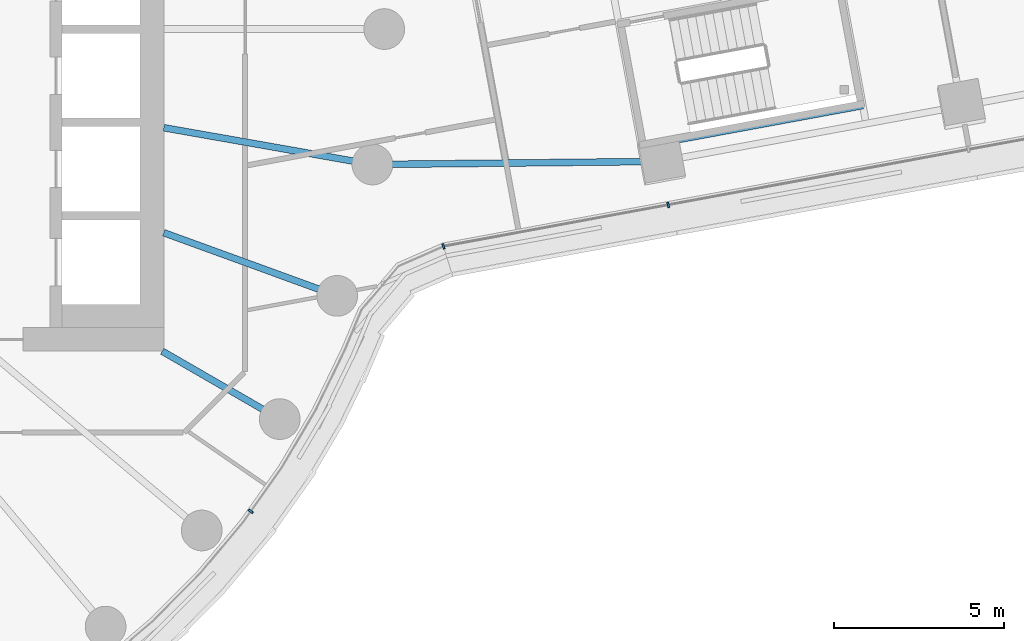
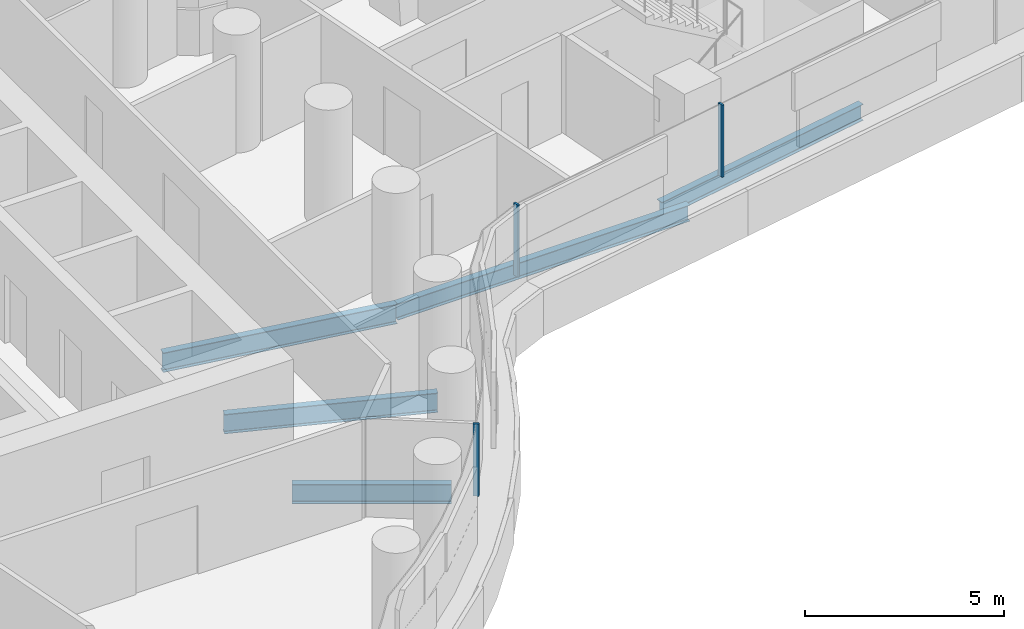
# One storey, part 11 of 33: 5 beams, 3 members, 2 elements without a shape of their own.
"""IFC4 building model written with IfcOpenShell, lengths in metres."""

from ifc_helpers import new_model, si_unit, direction, frame, origin, origin_2d, place, context, subcontext, project, spatial, rectangle, i_section, extrude, material, layer, layer_set, material_profile, profile_set, type_object, element, aggregate, save


model = new_model("IFC4")

# Units and contexts
model_context = context("Model", 3, precision=1e-05, world=origin(), true_north=direction((0.0, 1.0)))
body_context = subcontext(model_context, "Body", "Model", "MODEL_VIEW")
ifc_project = project(units=[si_unit("LENGTHUNIT", "METRE"), si_unit("AREAUNIT", "SQUARE_METRE"), si_unit("VOLUMEUNIT", "CUBIC_METRE"), si_unit("PLANEANGLEUNIT", "RADIAN"), si_unit("MASSUNIT", "GRAM", prefix="KILO")], contexts=[model_context])

# Site, building, storey
site_placement = place(None, origin())
site = spatial("IfcSite", under=ifc_project, at=site_placement, CompositionType="ELEMENT")
building_placement = place(site_placement, origin())
building = spatial("IfcBuilding", under=site, at=building_placement, Name="Tamarind Cross Interchange Tower", CompositionType="ELEMENT")
storey_placement = place(building_placement, frame((0.0, 0.0, 71.5)))
storey = spatial("IfcBuildingStorey", under=building, at=storey_placement, Name="L16", CompositionType="ELEMENT", Elevation=71.5)

# Beams
ifc_material_1 = material(Name="Steel Q355B", Category="steel")
ifc_material_profile_1 = material_profile(ifc_material_1, i_section(OverallWidth=0.198974609375, OverallDepth=0.49609375, WebThickness=0.009033203125, FlangeThickness=0.013916015625, FilletRadius=0.012939453125, at=origin_2d()), Name="HN 496x199x9x14")
ifc_profile_set_1 = profile_set([ifc_material_profile_1], Name="Steel Q355B")
beam_type_1 = type_object("IfcBeamType", Name="Composite beam HN 496x199x9x14 Q355B", PredefinedType="BEAM", material=ifc_profile_set_1)
beam_1_placement = place(storey_placement, frame((31.15966796875, -3.903564453125, -0.387939453125), z_axis=(-0.999943654866, -0.010615417677, 0.0), x_axis=(0.010615417677, -0.999943654866, 0.0)))
element("IfcBeam", 1, at=beam_1_placement, inside=storey, type_object=beam_type_1, Name="Beam E-linkem", PredefinedType="BEAM", context=body_context, shape_type="SweptSolid", body=[
    extrude(i_section(OverallWidth=0.198974609375, OverallDepth=0.49609375, WebThickness=0.009033203125, FlangeThickness=0.013916015625, FilletRadius=0.012939453125, at=origin_2d()), origin(), (0.0, 0.0, 1.0), 8.509521484375),
])
beam_2_placement = place(storey_placement, frame((30.584716796875, -3.460693359375, -0.387939453125), z_axis=(0.983416422781, 0.181361901743, 0.0), x_axis=(-0.181361901743, 0.983416422781, 0.0)))
element("IfcBeam", 2, at=beam_2_placement, inside=storey, type_object=beam_type_1, Name="Beam E-tr0", PredefinedType="BEAM", context=body_context, shape_type="SweptSolid", body=[
    extrude(i_section(OverallWidth=0.198974609375, OverallDepth=0.49609375, WebThickness=0.009033203125, FlangeThickness=0.013916015625, FilletRadius=0.012939453125, at=origin_2d()), origin(), (0.0, 0.0, 1.0), 6.63525390625),
])
ifc_material_profile_2 = material_profile(ifc_material_1, i_section(OverallWidth=0.198974609375, OverallDepth=0.595947265625, WebThickness=0.010009765625, FlangeThickness=0.014892578125, FilletRadius=0.012939453125, at=origin_2d()), Name="HN 596x199x10x15")
ifc_profile_set_2 = profile_set([ifc_material_profile_2], Name="Steel Q355B")
beam_type_2 = type_object("IfcBeamType", Name="Composite beam HN 596x199x10x15 Q355B", PredefinedType="BEAM", material=ifc_profile_set_2)
beam_3_placement = place(storey_placement, frame((19.918701171875, -11.5, -0.43798828125), z_axis=(-0.866026010844, 0.49999894854, 0.0), x_axis=(-0.49999894854, -0.866026010844, 0.0)))
element("IfcBeam", 3, at=beam_3_placement, inside=storey, type_object=beam_type_2, Name="Beam HH33", PredefinedType="BEAM", context=body_context, shape_type="SweptSolid", body=[
    extrude(i_section(OverallWidth=0.198974609375, OverallDepth=0.595947265625, WebThickness=0.010009765625, FlangeThickness=0.014892578125, FilletRadius=0.012939453125, at=origin_2d()), origin(), (0.0, 0.0, 1.0), 4.0),
])
beam_4_placement = place(storey_placement, frame((21.613037109375, -7.866455078125, -0.43798828125), z_axis=(-0.939701685589, 0.341995236956, 0.0), x_axis=(-0.341995236956, -0.939701685589, 0.0)))
element("IfcBeam", 4, at=beam_4_placement, inside=storey, type_object=beam_type_2, Name="Beam HH34", PredefinedType="BEAM", context=body_context, shape_type="SweptSolid", body=[
    extrude(i_section(OverallWidth=0.198974609375, OverallDepth=0.595947265625, WebThickness=0.010009765625, FlangeThickness=0.014892578125, FilletRadius=0.012939453125, at=origin_2d()), origin(), (0.0, 0.0, 1.0), 5.441162109375),
])
beam_5_placement = place(storey_placement, frame((22.650634765625, -3.993896484375, -0.43798828125), z_axis=(-0.984809127561, 0.173640382036, 0.0), x_axis=(-0.173640382036, -0.984809127561, 0.0)))
element("IfcBeam", 5, at=beam_5_placement, inside=storey, type_object=beam_type_2, Name="Beam HH35", PredefinedType="BEAM", context=body_context, shape_type="SweptSolid", body=[
    extrude(i_section(OverallWidth=0.198974609375, OverallDepth=0.595947265625, WebThickness=0.010009765625, FlangeThickness=0.014892578125, FilletRadius=0.012939453125, at=origin_2d()), origin(), (0.0, 0.0, 1.0), 6.24560546875),
])

# Curtain wall, member
ifc_material_2 = material(Name="Aluminium 6063-T6", Category="aluminium")
ifc_layer = layer(ifc_material_2, 0.159912109375)
ifc_layer_set = layer_set([ifc_layer], Name="Aluminium 6063-T6")
curtain_wall_type = type_object("IfcCurtainWallType", Name="Office curtain wall, 9.0 m bays", PredefinedType="NOTDEFINED", material=ifc_layer_set)
curtain_wall_1_placement = place(storey_placement, origin())
curtain_wall_1 = element("IfcCurtainWall", 6, at=curtain_wall_1_placement, inside=storey, type_object=curtain_wall_type, Name="CWS-L16-06", PredefinedType="NOTDEFINED")
ifc_material_profile_3 = material_profile(ifc_material_2, rectangle(XDim=0.06005859375, YDim=0.159912109375, at=origin_2d()), Name="Mullion CW1")
ifc_profile_set_3 = profile_set([ifc_material_profile_3], Name="Aluminium 6063-T6")
member_type = type_object("IfcMemberType", Name="Mullion CW1", PredefinedType="MULLION", material=ifc_profile_set_3)
member_1_placement = place(storey_placement, frame((19.06396484375, -14.219482421875, 1.39990234375), z_axis=(0.0, 0.0, 1.0), x_axis=(0.577568978284, 0.816341886298, 0.0)))
member_1 = element("IfcMember", 7, at=member_1_placement, type_object=member_type, Name="CWM-L16-06-02", PredefinedType="MULLION", context=body_context, shape_type="SweptSolid", body=[
    extrude(rectangle(XDim=0.06005859375, YDim=0.159912109375, at=origin_2d()), origin(), (0.0, 0.0, 1.0), 2.210205078125),
])
aggregate(curtain_wall_1, [member_1])

# Curtain wall, members
curtain_wall_2_placement = place(storey_placement, origin())
curtain_wall_2 = element("IfcCurtainWall", 8, at=curtain_wall_2_placement, inside=storey, type_object=curtain_wall_type, Name="CWS-L16-07", PredefinedType="NOTDEFINED")
member_2_placement = place(storey_placement, frame((24.746826171875, -6.408203125, 1.39990234375), z_axis=(0.0, 0.0, 1.0), x_axis=(0.955988970628, 0.293402604006, 0.0)))
member_2 = element("IfcMember", 9, at=member_2_placement, type_object=member_type, Name="CWM-L16-07-00", PredefinedType="MULLION", context=body_context, shape_type="SweptSolid", body=[
    extrude(rectangle(XDim=0.06005859375, YDim=0.159912109375, at=origin_2d()), origin(), (0.0, 0.0, 1.0), 2.210205078125),
])
member_3_placement = place(storey_placement, frame((31.371826171875, -5.1865234375, 1.39990234375), z_axis=(0.0, 0.0, 1.0), x_axis=(0.983419894311, 0.181343076715, 0.0)))
member_3 = element("IfcMember", 10, at=member_3_placement, type_object=member_type, Name="CWM-L16-07-01", PredefinedType="MULLION", context=body_context, shape_type="SweptSolid", body=[
    extrude(rectangle(XDim=0.06005859375, YDim=0.159912109375, at=origin_2d()), origin(), (0.0, 0.0, 1.0), 2.210205078125),
])
aggregate(curtain_wall_2, [member_2, member_3])

save(model, "model.ifc")
